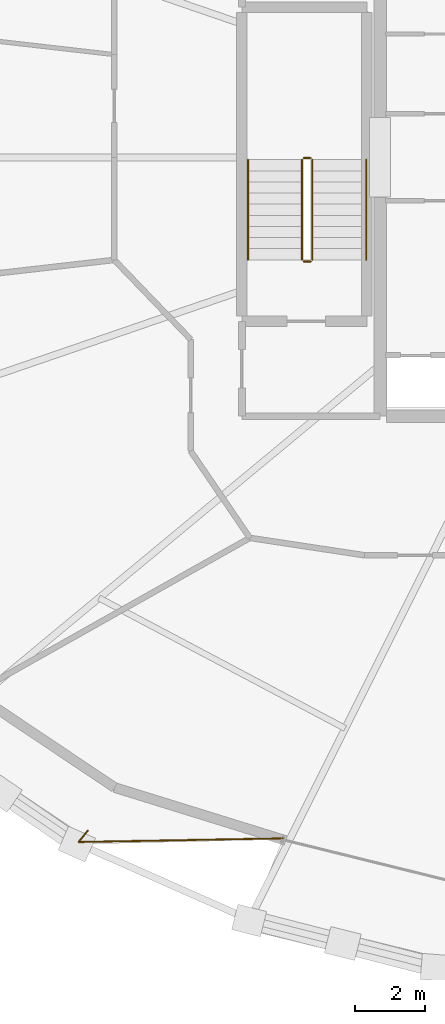
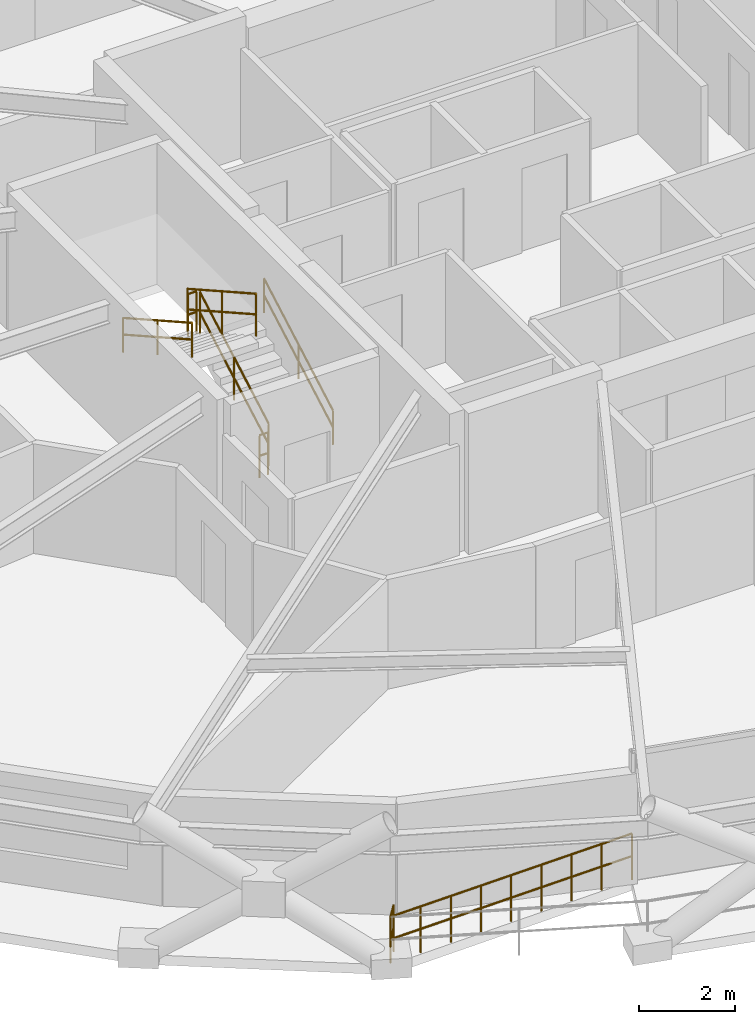
# One storey, part 19 of 21: 7 railings.
"""IFC4 building model written with IfcOpenShell, lengths in metres."""

from ifc_helpers import new_model, si_unit, direction, frame, origin, origin_2d, place, context, subcontext, project, spatial, circle, extrude, material, type_object, element, save


model = new_model("IFC4")

# Units and contexts
model_context = context("Model", 3, precision=1e-05, world=origin(), true_north=direction((0.0, 1.0)))
body_context = subcontext(model_context, "Body", "Model", "MODEL_VIEW")
ifc_project = project(units=[si_unit("LENGTHUNIT", "METRE"), si_unit("AREAUNIT", "SQUARE_METRE"), si_unit("VOLUMEUNIT", "CUBIC_METRE"), si_unit("PLANEANGLEUNIT", "RADIAN"), si_unit("MASSUNIT", "GRAM", prefix="KILO")], contexts=[model_context])

# Site, building, storey
site_placement = place(None, origin())
site = spatial("IfcSite", under=ifc_project, at=site_placement, CompositionType="ELEMENT")
building_placement = place(site_placement, origin())
building = spatial("IfcBuilding", under=site, at=building_placement, Name="Veldorina Hangang Commons", CompositionType="ELEMENT")
storey_placement = place(building_placement, frame((0.0, 0.0, 120.800048828125)))
storey = spatial("IfcBuildingStorey", under=building, at=storey_placement, Name="L30", CompositionType="ELEMENT", Elevation=120.800048828125)

# Railings
ifc_material_1 = material(Name="Glass Laminated Safety Balustrade", Category="glass")
railing_type_1 = type_object("IfcRailingType", Name="RL-BAL-LOGGIA", PredefinedType="BALUSTRADE", material=ifc_material_1)
railing_1_placement = place(storey_placement, frame((16.38720703125, 4.627685546875, 0.0)))
element("IfcRailing", 1, at=railing_1_placement, inside=storey, type_object=railing_type_1, Name="L30 sky-garden loggia end balustrade A", PredefinedType="BALUSTRADE", context=body_context, shape_type="SweptSolid", body=[
    extrude(circle(Radius=0.02392578125, at=origin_2d()), frame((0.0, 0.0, 1.17578125), z_axis=(-0.627456880899, -0.778651310031, 0.0), x_axis=(0.778651310031, -0.627456880899, 0.0)), (0.0, 0.0, 1.0), 0.419921875),
    extrude(circle(Radius=0.02392578125, at=origin_2d()), frame((0.0, 0.0, 0.60009765625), z_axis=(-0.627456880899, -0.778651310031, 0.0), x_axis=(0.778651310031, -0.627456880899, 0.0)), (0.0, 0.0, 1.0), 0.419921875),
    extrude(circle(Radius=0.02392578125, at=origin_2d()), frame((-0.263427734375, -0.326904296875, 1.17578125), z_axis=(0.999840374617, 0.017866876797, 0.0), x_axis=(-0.017866876797, 0.999840374617, 0.0)), (0.0, 0.0, 1.0), 5.889404296875),
    extrude(circle(Radius=0.02392578125, at=origin_2d()), frame((-0.263427734375, -0.326904296875, 0.60009765625), z_axis=(0.999840374617, 0.017866876797, 0.0), x_axis=(-0.017866876797, 0.999840374617, 0.0)), (0.0, 0.0, 1.0), 5.889404296875),
    extrude(circle(Radius=0.02099609375, at=origin_2d()), origin(), (0.0, 0.0, 1.0), 1.15185546875),
    extrude(circle(Radius=0.02099609375, at=origin_2d()), frame((-0.263427734375, -0.326904296875, 0.0)), (0.0, 0.0, 1.0), 1.15185546875),
    extrude(circle(Radius=0.02099609375, at=origin_2d()), frame((0.47265625, -0.313720703125, 0.0)), (0.0, 0.0, 1.0), 1.15185546875),
    extrude(circle(Radius=0.02099609375, at=origin_2d()), frame((1.208740234375, -0.300537109375, 0.0)), (0.0, 0.0, 1.0), 1.15185546875),
    extrude(circle(Radius=0.02099609375, at=origin_2d()), frame((1.94482421875, -0.287353515625, 0.0)), (0.0, 0.0, 1.0), 1.15185546875),
    extrude(circle(Radius=0.02099609375, at=origin_2d()), frame((2.6806640625, -0.2744140625, 0.0)), (0.0, 0.0, 1.0), 1.15185546875),
    extrude(circle(Radius=0.02099609375, at=origin_2d()), frame((3.416748046875, -0.26123046875, 0.0)), (0.0, 0.0, 1.0), 1.15185546875),
    extrude(circle(Radius=0.02099609375, at=origin_2d()), frame((4.15283203125, -0.248046875, 0.0)), (0.0, 0.0, 1.0), 1.15185546875),
    extrude(circle(Radius=0.02099609375, at=origin_2d()), frame((4.888916015625, -0.23486328125, 0.0)), (0.0, 0.0, 1.0), 1.15185546875),
    extrude(circle(Radius=0.02099609375, at=origin_2d()), frame((5.625, -0.2216796875, 0.0)), (0.0, 0.0, 1.0), 1.15185546875),
])
ifc_material_2 = material(Name="Steel Painted Balustrade", Category="steel")
railing_type_2 = type_object("IfcRailingType", Name="RL-GRD-STAIR", PredefinedType="GUARDRAIL", material=ifc_material_2)
railing_2_placement = place(storey_placement, frame((22.85009765625, 21.050048828125, 0.179931640625)))
element("IfcRailing", 2, at=railing_2_placement, inside=storey, type_object=railing_type_2, Name="L30 ST-1 stair guard 1", PredefinedType="GUARDRAIL", context=body_context, shape_type="SweptSolid", body=[
    extrude(circle(Radius=0.02392578125, at=origin_2d()), frame((0.0, 0.0, 1.076171875), z_axis=(0.0, 0.87155185771, 0.490303333991), x_axis=(-1.0, 0.0, 0.0)), (0.0, 0.0, 1.0), 3.30419921875),
    extrude(circle(Radius=0.02392578125, at=origin_2d()), frame((0.0, 0.0, 0.550048828125), z_axis=(0.0, 0.87155185771, 0.490303333991), x_axis=(-1.0, 0.0, 0.0)), (0.0, 0.0, 1.0), 3.30419921875),
    extrude(circle(Radius=0.02099609375, at=origin_2d()), origin(), (0.0, 0.0, 1.0), 1.052001953125),
    extrude(circle(Radius=0.02099609375, at=origin_2d()), frame((0.0, 1.43994140625, 0.81005859375)), (0.0, 0.0, 1.0), 1.052001953125),
    extrude(circle(Radius=0.02099609375, at=origin_2d()), frame((0.0, 2.8798828125, 1.6201171875)), (0.0, 0.0, 1.0), 1.052001953125),
])
railing_3_placement = place(storey_placement, frame((22.800048828125, 23.97998046875, 1.800048828125)))
element("IfcRailing", 3, at=railing_3_placement, inside=storey, type_object=railing_type_2, Name="L30 ST-1 stair guard 2", PredefinedType="GUARDRAIL", context=body_context, shape_type="SweptSolid", body=[
    extrude(circle(Radius=0.02392578125, at=origin_2d()), frame((0.0, 0.0, 1.076171875), z_axis=(-1.0, 0.0, 0.0), x_axis=(0.0, -1.0, 0.0)), (0.0, 0.0, 1.0), 0.199951171875),
    extrude(circle(Radius=0.02392578125, at=origin_2d()), frame((0.0, 0.0, 0.550048828125), z_axis=(-1.0, 0.0, 0.0), x_axis=(0.0, -1.0, 0.0)), (0.0, 0.0, 1.0), 0.199951171875),
    extrude(circle(Radius=0.02099609375, at=origin_2d()), origin(), (0.0, 0.0, 1.0), 1.052001953125),
    extrude(circle(Radius=0.02099609375, at=origin_2d()), frame((-0.199951171875, 0.0, 0.0)), (0.0, 0.0, 1.0), 1.052001953125),
])
railing_4_placement = place(storey_placement, frame((22.550048828125, 23.929931640625, 1.97998046875)))
element("IfcRailing", 4, at=railing_4_placement, inside=storey, type_object=railing_type_2, Name="L30 ST-1 stair guard 3", PredefinedType="GUARDRAIL", context=body_context, shape_type="SweptSolid", body=[
    extrude(circle(Radius=0.02392578125, at=origin_2d()), frame((0.0, 0.0, 1.076171875), z_axis=(0.0, -0.871583430097, 0.490247207417), x_axis=(1.0, 0.0, 0.0)), (0.0, 0.0, 1.0), 3.30419921875),
    extrude(circle(Radius=0.02392578125, at=origin_2d()), frame((0.0, 0.0, 0.550048828125), z_axis=(0.0, -0.871583430097, 0.490247207417), x_axis=(1.0, 0.0, 0.0)), (0.0, 0.0, 1.0), 3.30419921875),
    extrude(circle(Radius=0.02099609375, at=origin_2d()), origin(), (0.0, 0.0, 1.0), 1.052001953125),
    extrude(circle(Radius=0.02099609375, at=origin_2d()), frame((0.0, -1.43994140625, 0.81005859375)), (0.0, 0.0, 1.0), 1.052001953125),
    extrude(circle(Radius=0.02099609375, at=origin_2d()), frame((0.0, -2.8798828125, 1.619873046875)), (0.0, 0.0, 1.0), 1.052001953125),
])
railing_5_placement = place(storey_placement, frame((22.800048828125, 21.0, 0.0)))
element("IfcRailing", 5, at=railing_5_placement, inside=storey, type_object=railing_type_2, Name="L30 ST-1 stair guard 4", PredefinedType="GUARDRAIL", context=body_context, shape_type="SweptSolid", body=[
    extrude(circle(Radius=0.02392578125, at=origin_2d()), frame((0.0, 0.0, 1.076171875), z_axis=(-1.0, 0.0, 0.0), x_axis=(0.0, -1.0, 0.0)), (0.0, 0.0, 1.0), 0.199951171875),
    extrude(circle(Radius=0.02392578125, at=origin_2d()), frame((0.0, 0.0, 0.550048828125), z_axis=(-1.0, 0.0, 0.0), x_axis=(0.0, -1.0, 0.0)), (0.0, 0.0, 1.0), 0.199951171875),
    extrude(circle(Radius=0.02099609375, at=origin_2d()), origin(), (0.0, 0.0, 1.0), 1.052001953125),
    extrude(circle(Radius=0.02099609375, at=origin_2d()), frame((-0.199951171875, 0.0, 0.0)), (0.0, 0.0, 1.0), 1.052001953125),
])
ifc_material_3 = material(Name="Stainless Steel Brushed 316", Category="steel")
railing_type_3 = type_object("IfcRailingType", Name="RL-HND-STAIR", PredefinedType="HANDRAIL", material=ifc_material_3)
railing_6_placement = place(storey_placement, frame((24.39990234375, 21.050048828125, 0.179931640625)))
element("IfcRailing", 6, at=railing_6_placement, inside=storey, type_object=railing_type_3, Name="L30 ST-1 stair handrail 1", PredefinedType="HANDRAIL", context=body_context, shape_type="SweptSolid", body=[
    extrude(circle(Radius=0.02392578125, at=origin_2d()), frame((0.0, 0.0, 0.8759765625), z_axis=(0.0, 0.87155185771, 0.490303333991), x_axis=(-1.0, 0.0, 0.0)), (0.0, 0.0, 1.0), 3.30419921875),
    extrude(circle(Radius=0.02392578125, at=origin_2d()), frame((0.0, 0.0, 0.449951171875), z_axis=(0.0, 0.87155185771, 0.490303333991), x_axis=(-1.0, 0.0, 0.0)), (0.0, 0.0, 1.0), 3.30419921875),
    extrude(circle(Radius=0.02099609375, at=origin_2d()), origin(), (0.0, 0.0, 1.0), 0.851806640625),
    extrude(circle(Radius=0.02099609375, at=origin_2d()), frame((0.0, 1.43994140625, 0.81005859375)), (0.0, 0.0, 1.0), 0.851806640625),
    extrude(circle(Radius=0.02099609375, at=origin_2d()), frame((0.0, 2.8798828125, 1.6201171875)), (0.0, 0.0, 1.0), 0.851806640625),
])
railing_7_placement = place(storey_placement, frame((21.0, 23.929931640625, 1.97998046875)))
element("IfcRailing", 7, at=railing_7_placement, inside=storey, type_object=railing_type_3, Name="L30 ST-1 stair handrail 2", PredefinedType="HANDRAIL", context=body_context, shape_type="SweptSolid", body=[
    extrude(circle(Radius=0.02392578125, at=origin_2d()), frame((0.0, 0.0, 0.8759765625), z_axis=(0.0, -0.871583430097, 0.490247207417), x_axis=(1.0, 0.0, 0.0)), (0.0, 0.0, 1.0), 3.30419921875),
    extrude(circle(Radius=0.02392578125, at=origin_2d()), frame((0.0, 0.0, 0.449951171875), z_axis=(0.0, -0.871583430097, 0.490247207417), x_axis=(1.0, 0.0, 0.0)), (0.0, 0.0, 1.0), 3.30419921875),
    extrude(circle(Radius=0.02099609375, at=origin_2d()), origin(), (0.0, 0.0, 1.0), 0.851806640625),
    extrude(circle(Radius=0.02099609375, at=origin_2d()), frame((0.0, -1.43994140625, 0.81005859375)), (0.0, 0.0, 1.0), 0.851806640625),
    extrude(circle(Radius=0.02099609375, at=origin_2d()), frame((0.0, -2.8798828125, 1.619873046875)), (0.0, 0.0, 1.0), 0.851806640625),
])

save(model, "model.ifc")
